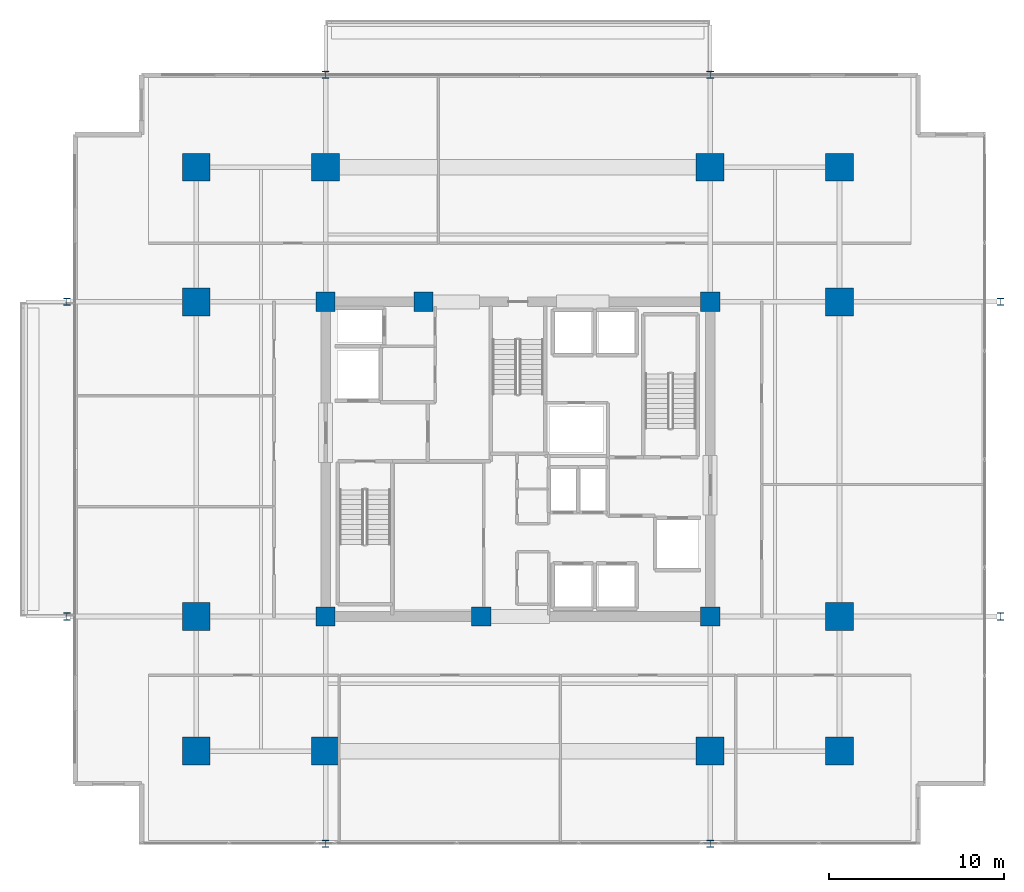
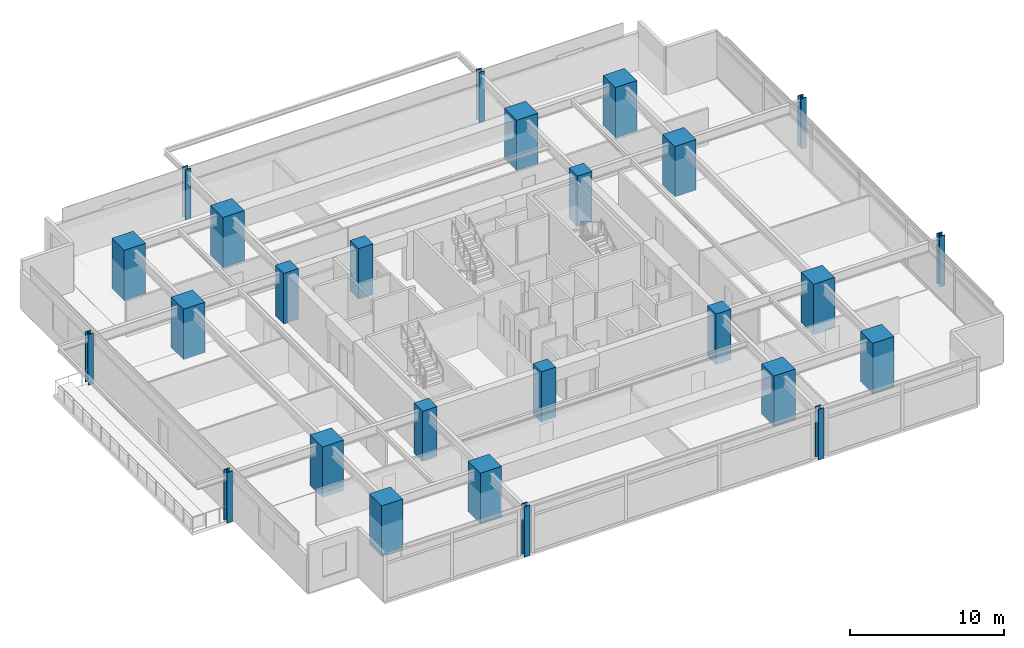
# One storey, part 1 of 20: 26 columns.
"""IFC4 building model written with IfcOpenShell, lengths in metres."""

import ifcopenshell
import ifcopenshell.guid

model = None  # the IFC model being written
_history = None  # IfcOwnerHistory: only IFC2X3 demands one
_inside = {}  # id of a spatial element -> (the spatial element, [elements in it])
_under = {}  # id of a project, library or spatial element -> (it, [spatial elements below it])
_declared = {}  # id of a project -> (the project, [libraries it declares])
_typed = {}  # id of a type object -> (the type object, [elements of that type])
_made_of = {}  # id of a material, layer set ... -> (it, [elements and type objects made of it])


def new_model(schema):
    """Start an empty IFC model of exactly this schema.

    Asked for "IFC4X3", IfcOpenShell would pick the latest addendum, in which some entities
    have other attributes; the version numbers below select the first issue.
    IFC2X3 requires an IfcOwnerHistory on every rooted entity: one is made here for all.
    """
    global model, _history
    if schema == "IFC4X3":
        model = ifcopenshell.file(schema_version=(4, 3, 0, 0))
    else:
        model = ifcopenshell.file(schema=schema)
    _inside.clear()
    _under.clear()
    _declared.clear()
    _typed.clear()
    _made_of.clear()
    _history = None
    if model.schema == "IFC2X3":
        org = make("IfcOrganization", Name="unknown")
        user = make(
            "IfcPersonAndOrganization",
            ThePerson=make("IfcPerson", FamilyName="unknown"),
            TheOrganization=org,
        )
        app = make(
            "IfcApplication",
            ApplicationDeveloper=org,
            Version="unknown",
            ApplicationFullName="unknown",
            ApplicationIdentifier="unknown",
        )
        _history = make(
            "IfcOwnerHistory",
            OwningUser=user,
            OwningApplication=app,
            ChangeAction="ADDED",
            CreationDate=0,
        )
    return model


def make(cls, **values):
    """One entity of the class cls with the attributes given. An attribute that is None is left unset."""
    return model.create_entity(
        cls, **{name: value for name, value in values.items() if value is not None}
    )


def rooted(cls, **values):
    """An entity with a GlobalId (a new one), such as an element, a storey or a relation."""
    return make(cls, GlobalId=ifcopenshell.guid.new(), OwnerHistory=_history, **values)


def si_unit(unit_type, name, prefix=None):
    """IfcSIUnit, for example si_unit("LENGTHUNIT", "METRE", prefix="MILLI")."""
    return make("IfcSIUnit", UnitType=unit_type, Prefix=prefix, Name=name)


def assignment(units):
    """IfcUnitAssignment: the units of a project."""
    return None if units is None else make("IfcUnitAssignment", Units=units)


def point(xyz):
    """IfcCartesianPoint."""
    return None if xyz is None else make("IfcCartesianPoint", Coordinates=xyz)


def direction(xyz):
    """IfcDirection."""
    return None if xyz is None else make("IfcDirection", DirectionRatios=xyz)


def frame(location, z_axis=None, x_axis=None):
    """IfcAxis2Placement3D, a coordinate frame: its origin and axes. An axis left out is left unset."""
    return make(
        "IfcAxis2Placement3D",
        Location=point(location),
        Axis=direction(z_axis),
        RefDirection=direction(x_axis),
    )


def frame_2d(location, x_axis=None):
    """IfcAxis2Placement2D, a coordinate frame in the plane: its origin and x axis."""
    return make(
        "IfcAxis2Placement2D", Location=point(location), RefDirection=direction(x_axis)
    )


def origin():
    """The frame at (0, 0, 0) with its axes left unset."""
    return frame((0.0, 0.0, 0.0))


def origin_2d():
    """The frame at (0, 0) in the plane with its x axis left unset."""
    return frame_2d((0.0, 0.0))


def place(relative_to, where):
    """IfcLocalPlacement: puts the frame where relative to a parent placement (None: the world)."""
    return make(
        "IfcLocalPlacement", PlacementRelTo=relative_to, RelativePlacement=where
    )


def context(
    kind, dimensions, precision=None, world=None, true_north=None, identifier=None
):
    """IfcGeometricRepresentationContext, for example the 3D "Model" context."""
    return make(
        "IfcGeometricRepresentationContext",
        ContextIdentifier=identifier,
        ContextType=kind,
        CoordinateSpaceDimension=dimensions,
        Precision=precision,
        WorldCoordinateSystem=world,
        TrueNorth=true_north,
    )


def subcontext(parent, identifier, kind, view, scale=None):
    """IfcGeometricRepresentationSubContext, for example "Body" below "Model"."""
    return make(
        "IfcGeometricRepresentationSubContext",
        ContextIdentifier=identifier,
        ContextType=kind,
        ParentContext=parent,
        TargetScale=scale,
        TargetView=view,
    )


def project(units=None, contexts=None):
    """IfcProject with its units and contexts."""
    return rooted(
        "IfcProject",
        Name="project",
        RepresentationContexts=contexts,
        UnitsInContext=assignment(units),
    )


def spatial(cls, under=None, at=None, **own):
    """A site, building, storey or space (cls), placed at a placement, below another one or the project."""
    s = rooted(cls, ObjectPlacement=at, **own)
    if under is not None:
        _under.setdefault(under.id(), (under, []))[1].append(s)
    return s


def profile(cls, at=None, kind="AREA", **sizes):
    """A parametric profile (cls). Its sizes go by their IFC names, for example OverallWidth=200.0."""
    return make(cls, ProfileType=kind, Position=at, **sizes)


def rectangle(**sizes):
    """IfcRectangleProfileDef."""
    return profile("IfcRectangleProfileDef", **sizes)


def i_section(**sizes):
    """IfcIShapeProfileDef."""
    return profile("IfcIShapeProfileDef", **sizes)


def extrude(swept, where, along, depth):
    """IfcExtrudedAreaSolid: the profile swept, set in the frame where, extruded along a direction by depth."""
    return make(
        "IfcExtrudedAreaSolid",
        SweptArea=swept,
        Position=where,
        ExtrudedDirection=direction(along),
        Depth=depth,
    )


def shape(context_of_items, identifier, shape_type, items):
    """IfcShapeRepresentation: the items that make up one representation, for example the "Body"."""
    return make(
        "IfcShapeRepresentation",
        ContextOfItems=context_of_items,
        RepresentationIdentifier=identifier,
        RepresentationType=shape_type,
        Items=items,
    )


def material(Name=None, Category=None):
    """IfcMaterial."""
    return make("IfcMaterial", Name=Name, Category=Category)


def material_profile(
    of_material, cross_section, Name=None, Category=None, Priority=None
):
    """IfcMaterialProfile: a cross section and its material."""
    return make(
        "IfcMaterialProfile",
        Name=Name,
        Material=of_material,
        Profile=cross_section,
        Priority=Priority,
        Category=Category,
    )


def profile_set(profiles, Name=None, composite=None):
    """IfcMaterialProfileSet."""
    return make(
        "IfcMaterialProfileSet",
        Name=Name,
        MaterialProfiles=profiles,
        CompositeProfile=composite,
    )


def made_of(thing, what):
    """Note that an element or type object is made of a material, layer set ...; save() writes the relation."""
    if what is not None:
        _made_of.setdefault(what.id(), (what, []))[1].append(thing)
    return thing


def type_object(cls, material=None, **own):
    """A type object (cls), such as IfcWallType, which elements share."""
    return made_of(rooted(cls, **own), material)


def element(
    cls,
    number,
    at=None,
    inside=None,
    cuts=None,
    type_object=None,
    material=None,
    context=None,
    identifier="Body",
    shape_type=None,
    held_by="IfcProductDefinitionShape",
    body=None,
    shapes=None,
    **own,
):
    """One element of the class cls, such as IfcWall. Its Tag is "e" and its number.

    at: its placement. inside: the storey or other place that contains it. cuts: it is an
    opening in that element (IfcRelVoidsElement). A single representation is given by context,
    identifier, shape_type and body (its items); several are given by shapes. held_by: the class
    of the entity that holds the representations. save() writes the other relations.
    """
    e = rooted(cls, Tag="e%d" % number, ObjectPlacement=at, **own)
    if body is not None:
        shapes = [shape(context, identifier, shape_type, body)]
    if shapes is not None:
        e.Representation = make(held_by, Representations=shapes)
    if inside is not None:
        _inside.setdefault(inside.id(), (inside, []))[1].append(e)
    if cuts is not None:
        rooted(
            "IfcRelVoidsElement", RelatingBuildingElement=cuts, RelatedOpeningElement=e
        )
    if type_object is not None:
        _typed.setdefault(type_object.id(), (type_object, []))[1].append(e)
    return made_of(e, material)


def aggregate(whole, parts):
    """IfcRelAggregates: a whole, such as a stair, and the parts it consists of."""
    return rooted("IfcRelAggregates", RelatingObject=whole, RelatedObjects=parts)


def save(model, path):
    """Write the relations noted so far, then the file.

    IfcRelAggregates (storeys below a building ...), IfcRelContainedInSpatialStructure (elements
    in a storey), IfcRelDefinesByType, IfcRelAssociatesMaterial and IfcRelDeclares: one each for
    every whole, place, type object, material and project.
    """
    for whole, parts in _under.values():
        aggregate(whole, parts)
    for where, things in _inside.values():
        rooted(
            "IfcRelContainedInSpatialStructure",
            RelatedElements=things,
            RelatingStructure=where,
        )
    for kind, things in _typed.values():
        rooted("IfcRelDefinesByType", RelatedObjects=things, RelatingType=kind)
    for what, things in _made_of.values():
        rooted("IfcRelAssociatesMaterial", RelatedObjects=things, RelatingMaterial=what)
    for by, libraries in _declared.values():
        rooted("IfcRelDeclares", RelatingContext=by, RelatedDefinitions=libraries)
    model.write(path)


model = new_model("IFC4")

# Units and contexts
model_context = context("Model", 3, precision=1e-05, world=origin(), true_north=direction((0.0, 1.0)))
body_context = subcontext(model_context, "Body", "Model", "MODEL_VIEW")
ifc_project = project(units=[si_unit("LENGTHUNIT", "METRE"), si_unit("AREAUNIT", "SQUARE_METRE"), si_unit("VOLUMEUNIT", "CUBIC_METRE"), si_unit("PLANEANGLEUNIT", "RADIAN"), si_unit("MASSUNIT", "GRAM", prefix="KILO")], contexts=[model_context])

# Site, building, storey
site_placement = place(None, origin())
site = spatial("IfcSite", under=ifc_project, at=site_placement, CompositionType="ELEMENT")
building_placement = place(site_placement, origin())
building = spatial("IfcBuilding", under=site, at=building_placement, Name="Kovane Verandah Tower", CompositionType="ELEMENT")
storey_placement = place(building_placement, frame((0.0, 0.0, 164.39990234375)))
storey = spatial("IfcBuildingStorey", under=building, at=storey_placement, Name="L38", CompositionType="ELEMENT", Elevation=164.39990234375)

# Columns
ifc_material_1 = material(Name="Concrete C80/95", Category="concrete")
ifc_material_profile_1 = material_profile(ifc_material_1, rectangle(XDim=1.60009765625, YDim=1.60009765625, at=origin_2d()), Name="RC1600x1600")
ifc_profile_set_1 = profile_set([ifc_material_profile_1], Name="Concrete C80/95")
column_type_1 = type_object("IfcColumnType", Name="COL-RC1600", PredefinedType="COLUMN", material=ifc_profile_set_1)
for number, where, z_axis, x_axis, name in (
    (1, (29.0, 10.800048828125, 0.0), (0.0, 0.0, 1.0), (1.0, 0.0, 0.0), "L38 Tower Mega-Column MC-S1"),
    (2, (51.0, 10.800048828125, 0.0), (0.0, 0.0, 1.0), (1.0, 0.0, 0.0), "L38 Tower Mega-Column MC-S2"),
    (3, (29.0, 44.199951171875, 0.0), (0.0, 0.0, 1.0), (1.0, 0.0, 0.0), "L38 Tower Mega-Column MC-N1"),
    (4, (51.0, 44.199951171875, 0.0), (0.0, 0.0, 1.0), (1.0, 0.0, 0.0), "L38 Tower Mega-Column MC-N2"),
    (5, (21.60009765625, 18.5, 0.0), (0.0, 0.0, 1.0), (1.0, 0.0, 0.0), "L38 Tower Mega-Column MC-W1"),
    (6, (21.60009765625, 36.5, 0.0), (0.0, 0.0, 1.0), (1.0, 0.0, 0.0), "L38 Tower Mega-Column MC-W2"),
    (7, (58.39990234375, 18.5, 0.0), (0.0, 0.0, 1.0), (1.0, 0.0, 0.0), "L38 Tower Mega-Column MC-E1"),
    (8, (58.39990234375, 36.5, 0.0), (0.0, 0.0, 1.0), (1.0, 0.0, 0.0), "L38 Tower Mega-Column MC-E2"),
    (9, (21.60009765625, 10.800048828125, 0.0), (0.0, 0.0, 1.0), (1.0, 0.0, 0.0), "L38 Tower Mega-Column MC-SW"),
    (10, (58.39990234375, 10.800048828125, 0.0), (0.0, 0.0, 1.0), (1.0, 0.0, 0.0), "L38 Tower Mega-Column MC-SE"),
    (11, (21.60009765625, 44.199951171875, 0.0), (0.0, 0.0, 1.0), (1.0, 0.0, 0.0), "L38 Tower Mega-Column MC-NW"),
    (12, (58.39990234375, 44.199951171875, 0.0), (0.0, 0.0, 1.0), (1.0, 0.0, 0.0), "L38 Tower Mega-Column MC-NE"),
):
    element("IfcColumn", number, at=place(storey_placement, frame(where, z_axis=z_axis, x_axis=x_axis)), inside=storey, type_object=column_type_1, Name=name, PredefinedType="COLUMN", context=body_context, shape_type="SweptSolid", body=[
        extrude(rectangle(XDim=1.60009765625, YDim=1.60009765625, at=origin_2d()), origin(), (0.0, 0.0, 1.0), 4.0),
    ])
ifc_material_2 = material(Name="Steel S460", Category="steel")
ifc_material_profile_2 = material_profile(ifc_material_2, i_section(OverallWidth=0.412109375, OverallDepth=0.4365234375, WebThickness=0.035888671875, FlangeThickness=0.05810546875, FilletRadius=0.01513671875, at=origin_2d()), Name="UC356x406x467")
ifc_profile_set_2 = profile_set([ifc_material_profile_2], Name="Steel S460")
column_type_2 = type_object("IfcColumnType", Name="COL-UC467", PredefinedType="COLUMN", material=ifc_profile_set_2)
for number, where, z_axis, x_axis, name in (
    (13, (14.199951171875, 18.5, 0.0), (0.0, 0.0, 1.0), (1.0, 0.0, 0.0), "L38 Verandah Perimeter Column VC-W1"),
    (14, (14.199951171875, 36.5, 0.0), (0.0, 0.0, 1.0), (1.0, 0.0, 0.0), "L38 Verandah Perimeter Column VC-W2"),
    (15, (67.60009765625, 18.5, 0.0), (0.0, 0.0, 1.0), (1.0, 0.0, 0.0), "L38 Verandah Perimeter Column VC-E1"),
    (16, (67.60009765625, 36.5, 0.0), (0.0, 0.0, 1.0), (1.0, 0.0, 0.0), "L38 Verandah Perimeter Column VC-E2"),
    (17, (29.0, 5.5, 0.0), (0.0, 0.0, 1.0), (1.0, 0.0, 0.0), "L38 Verandah Perimeter Column VC-S1"),
    (18, (51.0, 5.5, 0.0), (0.0, 0.0, 1.0), (1.0, 0.0, 0.0), "L38 Verandah Perimeter Column VC-S2"),
    (19, (29.0, 49.5, 0.0), (0.0, 0.0, 1.0), (1.0, 0.0, 0.0), "L38 Verandah Perimeter Column VC-N1"),
    (20, (51.0, 49.5, 0.0), (0.0, 0.0, 1.0), (1.0, 0.0, 0.0), "L38 Verandah Perimeter Column VC-N2"),
):
    element("IfcColumn", number, at=place(storey_placement, frame(where, z_axis=z_axis, x_axis=x_axis)), inside=storey, type_object=column_type_2, Name=name, PredefinedType="COLUMN", context=body_context, shape_type="SweptSolid", body=[
        extrude(i_section(OverallWidth=0.412109375, OverallDepth=0.4365234375, WebThickness=0.035888671875, FlangeThickness=0.05810546875, FilletRadius=0.01513671875, at=origin_2d()), origin(), (0.0, 0.0, 1.0), 4.0),
    ])
ifc_material_profile_3 = material_profile(ifc_material_1, rectangle(XDim=1.10009765625, YDim=1.10009765625, at=origin_2d()), Name="RC1100x1100")
ifc_profile_set_3 = profile_set([ifc_material_profile_3], Name="Concrete C80/95")
column_type_3 = type_object("IfcColumnType", Name="PIL-RC1100", PredefinedType="PILASTER", material=ifc_profile_set_3)
for number, where, z_axis, x_axis, name in (
    (21, (29.0, 18.5, 0.0), (0.0, 0.0, 1.0), (1.0, 0.0, 0.0), "L38 Core Pilaster CP-SW"),
    (22, (51.0, 18.5, 0.0), (0.0, 0.0, 1.0), (1.0, 0.0, 0.0), "L38 Core Pilaster CP-SE"),
    (23, (29.0, 36.5, 0.0), (0.0, 0.0, 1.0), (1.0, 0.0, 0.0), "L38 Core Pilaster CP-NW"),
    (24, (51.0, 36.5, 0.0), (0.0, 0.0, 1.0), (1.0, 0.0, 0.0), "L38 Core Pilaster CP-NE"),
    (25, (37.89990234375, 18.5, 0.0), (0.0, 0.0, 1.0), (1.0, 0.0, 0.0), "L38 Core Pilaster CP-S"),
    (26, (34.60009765625, 36.5, 0.0), (0.0, 0.0, 1.0), (1.0, 0.0, 0.0), "L38 Core Pilaster CP-N"),
):
    element("IfcColumn", number, at=place(storey_placement, frame(where, z_axis=z_axis, x_axis=x_axis)), inside=storey, type_object=column_type_3, Name=name, PredefinedType="PILASTER", context=body_context, shape_type="SweptSolid", body=[
        extrude(rectangle(XDim=1.10009765625, YDim=1.10009765625, at=origin_2d()), origin(), (0.0, 0.0, 1.0), 4.0),
    ])

save(model, "model.ifc")
